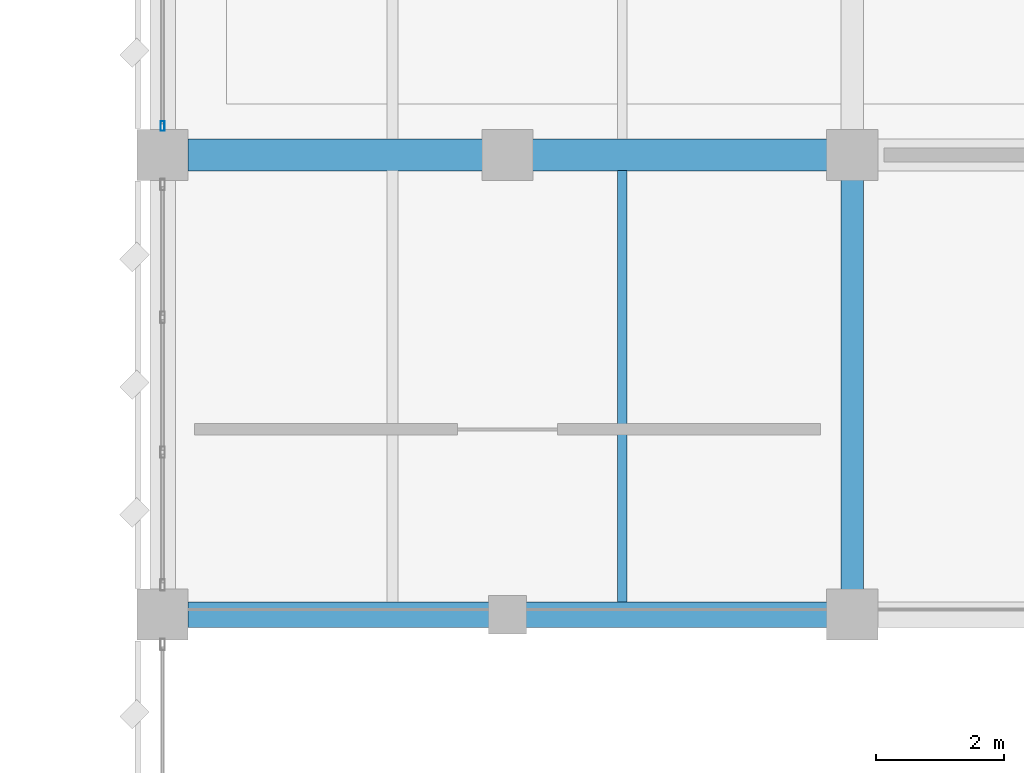
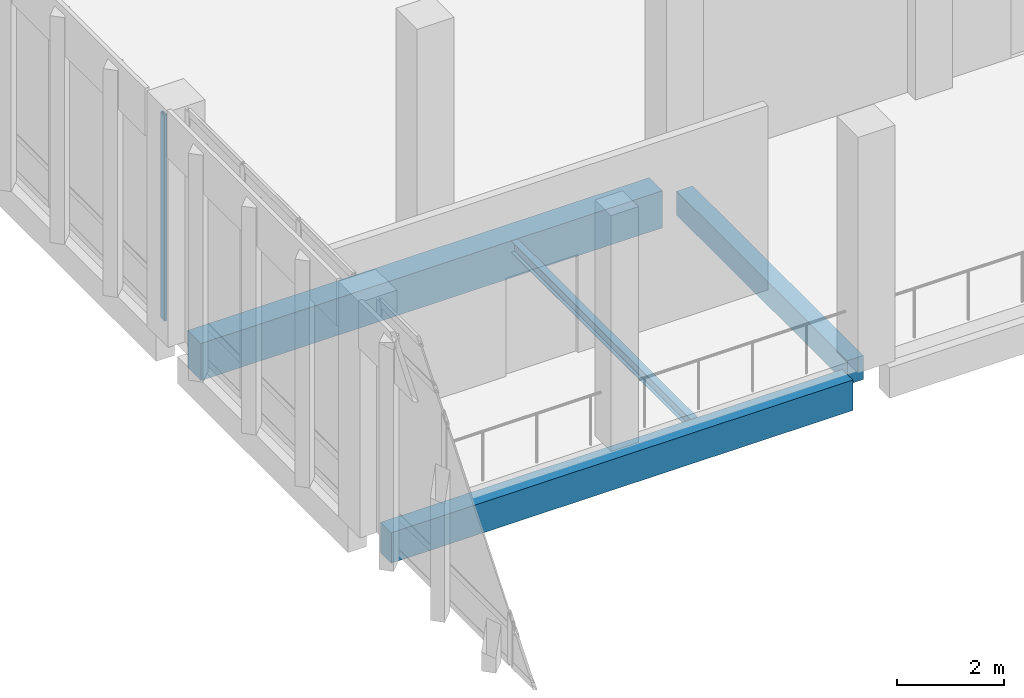
# One storey, part 18 of 180: 4 beams, 1 member, 1 element without a shape of its own.
"""IFC4 building model written with IfcOpenShell, lengths in metres."""

from ifc_helpers import new_model, si_unit, direction, frame, origin, origin_2d, place, context, subcontext, project, spatial, rectangle, hollow_rectangle, i_section, extrude, material, material_profile, profile_set, type_object, element, aggregate, save


model = new_model("IFC4")

# Units and contexts
model_context = context("Model", 3, precision=1e-05, world=origin(), true_north=direction((0.0, 1.0)))
body_context = subcontext(model_context, "Body", "Model", "MODEL_VIEW")
ifc_project = project(units=[si_unit("LENGTHUNIT", "METRE"), si_unit("AREAUNIT", "SQUARE_METRE"), si_unit("VOLUMEUNIT", "CUBIC_METRE"), si_unit("PLANEANGLEUNIT", "RADIAN"), si_unit("MASSUNIT", "GRAM", prefix="KILO")], contexts=[model_context])

# Site, building, storey
site_placement = place(None, origin())
site = spatial("IfcSite", under=ifc_project, at=site_placement, CompositionType="ELEMENT")
building_placement = place(site_placement, origin())
building = spatial("IfcBuilding", under=site, at=building_placement, Name="Lusvemor Sports Hall", CompositionType="ELEMENT")
storey_placement = place(building_placement, frame((0.0, 0.0, 5.39990234375)))
storey = spatial("IfcBuildingStorey", under=building, at=storey_placement, Name="L01", CompositionType="ELEMENT", Elevation=5.39990234375)

# Beam
ifc_material_1 = material(Name="Concrete C40/50", Category="concrete")
ifc_material_profile_1 = material_profile(ifc_material_1, rectangle(XDim=0.35009765625, YDim=0.550048828125, at=origin_2d()), Name="RC350x550")
ifc_profile_set_1 = profile_set([ifc_material_profile_1], Name="Concrete C40/50")
beam_type_1 = type_object("IfcBeamType", Name="BEAM_RC_550", PredefinedType="BEAM", material=ifc_profile_set_1)
beam_1_placement = place(storey_placement, frame((10.800048828125, 39.99609375, -0.554931640625), z_axis=(0.0, 1.0, 0.0), x_axis=(-1.0, 0.0, 0.0)))
element("IfcBeam", 1, at=beam_1_placement, inside=storey, type_object=beam_type_1, Name="Beam L01 2:E-F", PredefinedType="BEAM", context=body_context, shape_type="SweptSolid", body=[
    extrude(rectangle(XDim=0.35009765625, YDim=0.550048828125, at=origin_2d()), origin(), (0.0, 0.0, 1.0), 6.407958984375),
])

# Curtain wall, member
ifc_material_2 = material(Name="Thermally broken bronze-anodized aluminium", Category="aluminium")
curtain_wall_type = type_object("IfcCurtainWallType", Name="CW_WING_B", PredefinedType="NOTDEFINED", material=ifc_material_2)
curtain_wall_placement = place(storey_placement, origin())
curtain_wall = element("IfcCurtainWall", 2, at=curtain_wall_placement, inside=storey, type_object=curtain_wall_type, Name="Curtain Wall CW-L01-W-0-0", PredefinedType="NOTDEFINED")
ifc_material_3 = material(Name="Thermally broken bronze-anodized aluminium", Category="aluminium")
ifc_material_profile_2 = material_profile(ifc_material_3, hollow_rectangle(XDim=0.06494140625, YDim=0.14990234375, WallThickness=0.00390625, InnerFilletRadius=0.00390625, OuterFilletRadius=0.008056640625, at=origin_2d()), Name="CWMUL150x65x4")
ifc_profile_set_2 = profile_set([ifc_material_profile_2], Name="Thermally broken bronze-anodized aluminium")
member_type = type_object("IfcMemberType", Name="CW_MUL_B", PredefinedType="MULLION", material=ifc_profile_set_2)
member_placement = place(storey_placement, frame((0.0, 47.25244140625, 0.0), z_axis=(0.0, 0.0, 1.0), x_axis=(-1.0, 0.0, 0.0)))
member = element("IfcMember", 3, at=member_placement, type_object=member_type, Name="CW02 mullion 1", PredefinedType="MULLION", context=body_context, shape_type="SweptSolid", body=[
    extrude(hollow_rectangle(XDim=0.06494140625, YDim=0.14990234375, WallThickness=0.00390625, InnerFilletRadius=0.00390625, OuterFilletRadius=0.008056640625, at=origin_2d()), origin(), (0.0, 0.0, 1.0), 4.72021484375),
])
aggregate(curtain_wall, [member])

# Beams
ifc_material_4 = material(Name="Concrete C40/50", Category="concrete")
ifc_material_profile_3 = material_profile(ifc_material_4, rectangle(XDim=0.5, YDim=0.85009765625, at=origin_2d()), Name="RC500x850")
ifc_profile_set_3 = profile_set([ifc_material_profile_3], Name="Concrete C40/50")
beam_type_2 = type_object("IfcBeamType", Name="GIRD_RC_850", PredefinedType="T_BEAM", material=ifc_profile_set_3)
beam_2_placement = place(storey_placement, frame((0.39599609375, 46.800048828125, -0.704833984375), z_axis=(1.0, 0.0, 0.0), x_axis=(0.0, 1.0, 0.0)))
element("IfcBeam", 4, at=beam_2_placement, inside=storey, type_object=beam_type_2, Name="Beam L01 F:1-2", PredefinedType="T_BEAM", context=body_context, shape_type="SweptSolid", body=[
    extrude(rectangle(XDim=0.5, YDim=0.85009765625, at=origin_2d()), origin(), (0.0, 0.0, 1.0), 10.008056640625),
])
ifc_material_5 = material(Name="Steel S355", Category="steel")
ifc_material_profile_4 = material_profile(ifc_material_5, i_section(OverallWidth=0.14794921875, OverallDepth=0.26611328125, WebThickness=0.007568359375, FlangeThickness=0.012939453125, FilletRadius=0.012939453125, at=origin_2d()), Name="W250x44.8")
ifc_profile_set_4 = profile_set([ifc_material_profile_4], Name="Steel S355")
beam_type_3 = type_object("IfcBeamType", Name="JOIST_ST_250M", PredefinedType="JOIST", material=ifc_profile_set_4)
beam_3_placement = place(storey_placement, frame((7.199951171875, 39.7958984375, -0.4169921875), z_axis=(0.0, 1.0, 0.0), x_axis=(-1.0, 0.0, 0.0)))
element("IfcBeam", 5, at=beam_3_placement, inside=storey, type_object=beam_type_3, Name="Secondary Joist L01 1-2/E-F #2", PredefinedType="JOIST", context=body_context, shape_type="SweptSolid", body=[
    extrude(i_section(OverallWidth=0.14794921875, OverallDepth=0.26611328125, WebThickness=0.007568359375, FlangeThickness=0.012939453125, FilletRadius=0.012939453125, at=origin_2d()), origin(), (0.0, 0.0, 1.0), 6.758056640625),
])
ifc_material_6 = material(Name="Concrete C40/50", Category="concrete")
ifc_material_profile_5 = material_profile(ifc_material_6, rectangle(XDim=0.39990234375, YDim=0.699951171875, at=origin_2d()), Name="RC400x700")
ifc_profile_set_5 = profile_set([ifc_material_profile_5], Name="Concrete C40/50")
beam_type_4 = type_object("IfcBeamType", Name="SPAND_EXT_700", PredefinedType="SPANDREL", material=ifc_profile_set_5)
beam_4_placement = place(storey_placement, frame((0.39599609375, 39.60009765625, -0.6298828125), z_axis=(1.0, 0.0, 0.0), x_axis=(0.0, 1.0, 0.0)))
element("IfcBeam", 6, at=beam_4_placement, inside=storey, type_object=beam_type_4, Name="Beam L01 E:1-2", PredefinedType="SPANDREL", context=body_context, shape_type="SweptSolid", body=[
    extrude(rectangle(XDim=0.39990234375, YDim=0.699951171875, at=origin_2d()), origin(), (0.0, 0.0, 1.0), 10.008056640625),
])

save(model, "model.ifc")
